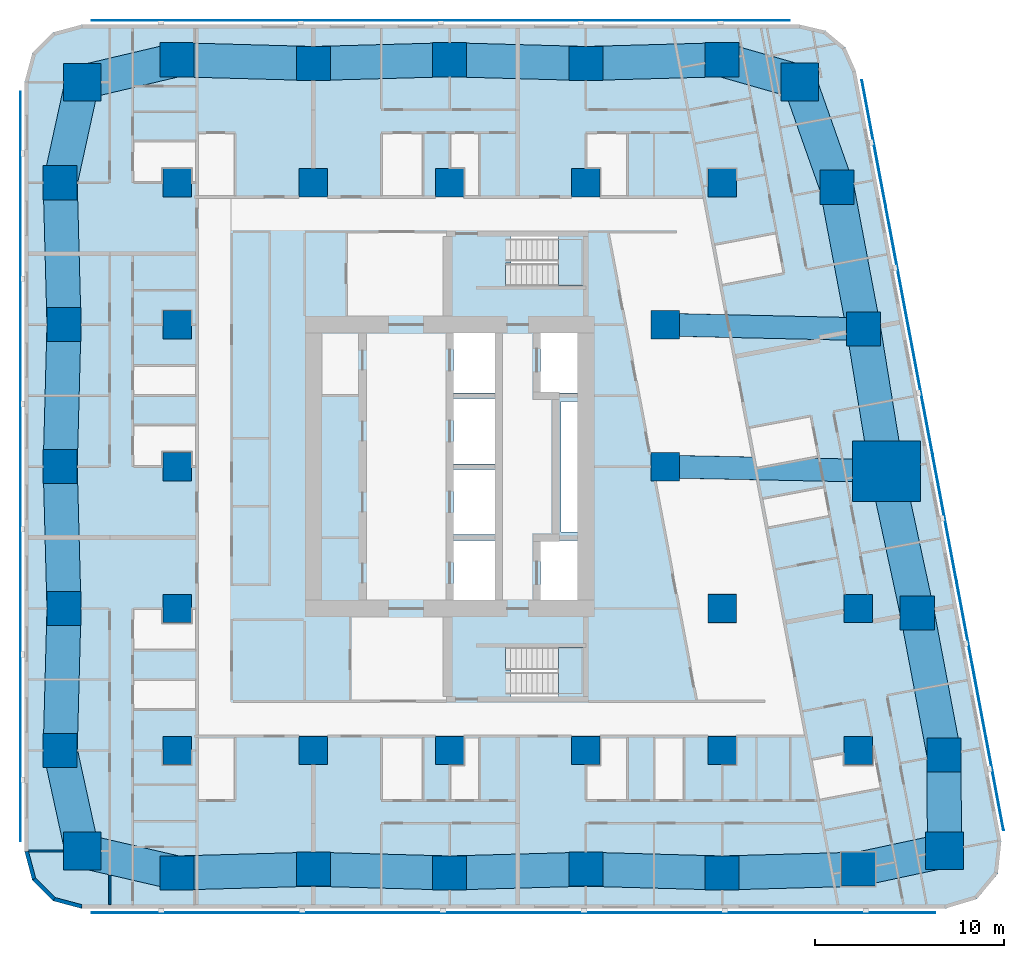
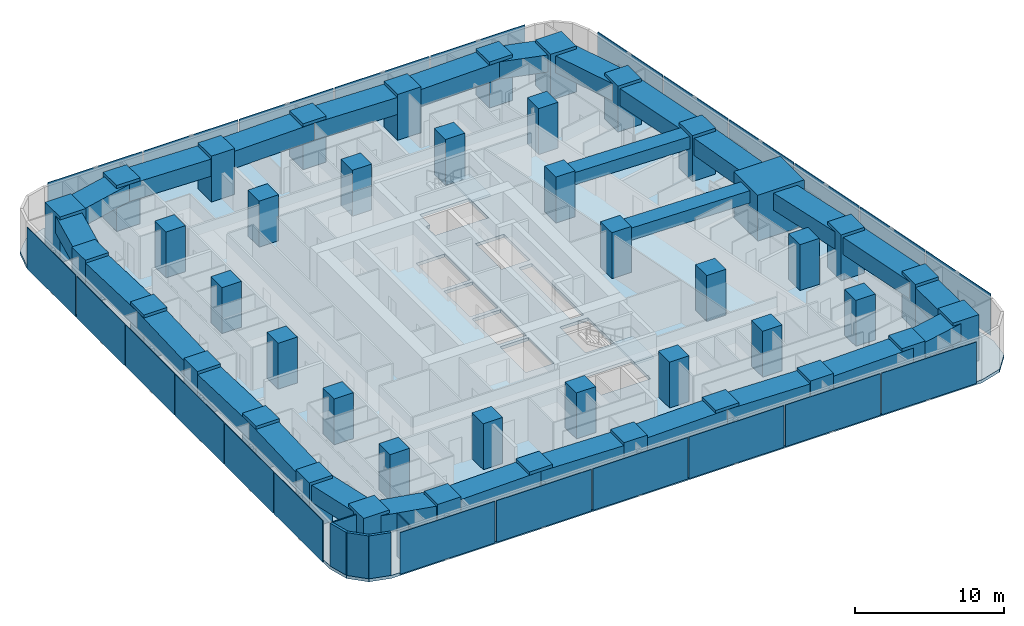
# One storey, part 1 of 15: 43 columns, 27 beams, 23 plates, 5 walls, 3 slabs, 2 elements without a shape of their own.
"""IFC4 building model written with IfcOpenShell, lengths in metres."""

from ifc_helpers import new_model, si_unit, direction, frame, frame_2d, origin, origin_2d, place, context, subcontext, project, spatial, polyline, rectangle, outline, extrude, material, layer, layer_set, material_profile, profile_set, type_object, element, aggregate, save


model = new_model("IFC4")

# Units and contexts
model_context = context("Model", 3, precision=1e-05, world=origin(), true_north=direction((0.0, 1.0)))
body_context = subcontext(model_context, "Body", "Model", "MODEL_VIEW")
ifc_project = project(units=[si_unit("LENGTHUNIT", "METRE"), si_unit("AREAUNIT", "SQUARE_METRE"), si_unit("VOLUMEUNIT", "CUBIC_METRE"), si_unit("PLANEANGLEUNIT", "RADIAN"), si_unit("MASSUNIT", "GRAM", prefix="KILO")], contexts=[model_context])

# Site, building, storey
site_placement = place(None, origin())
site = spatial("IfcSite", under=ifc_project, at=site_placement, CompositionType="ELEMENT")
building_placement = place(site_placement, origin())
building = spatial("IfcBuilding", under=site, at=building_placement, Name="Sheger Commons Tower", CompositionType="ELEMENT")
storey_placement = place(building_placement, frame((0.0, 0.0, 154.550048828125)))
storey = spatial("IfcBuildingStorey", under=building, at=storey_placement, Name="L39", CompositionType="ELEMENT", Elevation=154.550048828125)

# Columns
ifc_material_1 = material(Name="Concrete C50/60", Category="concrete")
ifc_material_profile_1 = material_profile(ifc_material_1, rectangle(XDim=3.60009765625, YDim=3.199951171875, at=origin_2d()), Name="RC 3600x3200")
ifc_profile_set_1 = profile_set([ifc_material_profile_1], Name="Concrete C50/60")
column_type_1 = type_object("IfcColumnType", Name="COLUMN PIER RC 3600x3200", PredefinedType="COLUMN", material=ifc_profile_set_1)
column_placement = place(storey_placement, frame((44.697021484375, 22.262939453125, 0.0), z_axis=(0.0, 0.0, 1.0), x_axis=(1.0, 0.0, 0.0)))
element("IfcColumn", 1, at=column_placement, inside=storey, type_object=column_type_1, Name="Pier 7/D+E/D L39", PredefinedType="COLUMN", context=body_context, shape_type="SweptSolid", body=[
    extrude(rectangle(XDim=3.60009765625, YDim=3.199951171875, at=origin_2d()), origin(), (0.0, 0.0, 1.0), 3.75),
])
ifc_material_2 = material(Name="Concrete C50/60", Category="concrete")
ifc_material_profile_2 = material_profile(ifc_material_2, rectangle(XDim=1.5, YDim=1.5, at=origin_2d()), Name="RC 1500x1500")
ifc_profile_set_2 = profile_set([ifc_material_profile_2], Name="Concrete C50/60")
column_type_2 = type_object("IfcColumnType", Name="COLUMN RC 1500x1500", PredefinedType="COLUMN", material=ifc_profile_set_2)
for number, where, z_axis, x_axis, name in (
    (2, (7.199951171875, 7.5, 0.0), (0.0, 0.0, 1.0), (1.0, 0.0, 0.0), "Column 2/B L39"),
    (3, (14.39990234375, 7.5, 0.0), (0.0, 0.0, 1.0), (1.0, 0.0, 0.0), "Column 3/B L39"),
    (4, (21.60009765625, 7.5, 0.0), (0.0, 0.0, 1.0), (1.0, 0.0, 0.0), "Column 4/B L39"),
    (5, (28.800048828125, 7.5, 0.0), (0.0, 0.0, 1.0), (1.0, 0.0, 0.0), "Column 5/B L39"),
    (6, (36.0, 7.5, 0.0), (0.0, 0.0, 1.0), (1.0, 0.0, 0.0), "Column 6/B L39"),
    (7, (43.199951171875, 7.5, 0.0), (0.0, 0.0, 1.0), (1.0, 0.0, 0.0), "Column 7/B L39"),
    (8, (7.199951171875, 15.0, 0.0), (0.0, 0.0, 1.0), (1.0, 0.0, 0.0), "Column 2/C L39"),
    (9, (36.0, 15.0, 0.0), (0.0, 0.0, 1.0), (1.0, 0.0, 0.0), "Column 6/C L39"),
    (10, (43.199951171875, 15.0, 0.0), (0.0, 0.0, 1.0), (1.0, 0.0, 0.0), "Column 7/C L39"),
    (11, (7.199951171875, 22.5, 0.0), (0.0, 0.0, 1.0), (1.0, 0.0, 0.0), "Column 2/D L39"),
    (12, (33.0, 22.5, 0.0), (0.0, 0.0, 1.0), (1.0, 0.0, 0.0), "Column 6-3000/D L39"),
    (13, (7.199951171875, 30.0, 0.0), (0.0, 0.0, 1.0), (1.0, 0.0, 0.0), "Column 2/E L39"),
    (14, (33.0, 30.0, 0.0), (0.0, 0.0, 1.0), (1.0, 0.0, 0.0), "Column 6-3000/E L39"),
    (15, (7.199951171875, 37.5, 0.0), (0.0, 0.0, 1.0), (1.0, 0.0, 0.0), "Column 2/F L39"),
    (16, (14.39990234375, 37.5, 0.0), (0.0, 0.0, 1.0), (1.0, 0.0, 0.0), "Column 3/F L39"),
    (17, (21.60009765625, 37.5, 0.0), (0.0, 0.0, 1.0), (1.0, 0.0, 0.0), "Column 4/F L39"),
    (18, (28.800048828125, 37.5, 0.0), (0.0, 0.0, 1.0), (1.0, 0.0, 0.0), "Column 5/F L39"),
    (19, (36.0, 37.5, 0.0), (0.0, 0.0, 1.0), (1.0, 0.0, 0.0), "Column 6/F L39"),
):
    element("IfcColumn", number, at=place(storey_placement, frame(where, z_axis=z_axis, x_axis=x_axis)), inside=storey, type_object=column_type_2, Name=name, PredefinedType="COLUMN", context=body_context, shape_type="SweptSolid", body=[
        extrude(rectangle(XDim=1.5, YDim=1.5, at=origin_2d()), origin(), (0.0, 0.0, 1.0), 3.75),
    ])
ifc_material_3 = material(Name="Concrete C50/60", Category="concrete")
ifc_material_profile_3 = material_profile(ifc_material_3, rectangle(XDim=1.800048828125, YDim=1.800048828125, at=origin_2d()), Name="RC 1800x1800")
ifc_profile_set_3 = profile_set([ifc_material_profile_3], Name="Concrete C50/60")
column_type_3 = type_object("IfcColumnType", Name="COLUMN RC 1800x1800", PredefinedType="COLUMN", material=ifc_profile_set_3)
for number, where, z_axis, x_axis, name in (
    (20, (7.199951171875, 1.02490234375, 0.0), (0.0, 0.0, 1.0), (1.0, 0.0, 0.0), "Column 2/A L39"),
    (21, (14.39990234375, 1.22509765625, 0.0), (0.0, 0.0, 1.0), (1.0, 0.0, 0.0), "Column 3/A L39"),
    (22, (21.60009765625, 1.02490234375, 0.0), (0.0, 0.0, 1.0), (1.0, 0.0, 0.0), "Column 4/A L39"),
    (23, (28.800048828125, 1.22509765625, 0.0), (0.0, 0.0, 1.0), (1.0, 0.0, 0.0), "Column 5/A L39"),
    (24, (36.0, 1.02490234375, 0.0), (0.0, 0.0, 1.0), (1.0, 0.0, 0.0), "Column 6/A L39"),
    (25, (43.199951171875, 1.22509765625, 0.0), (0.0, 0.0, 1.0), (1.0, 0.0, 0.0), "Column 7/A L39"),
    (26, (1.02490234375, 7.5, 0.0), (0.0, 0.0, 1.0), (1.0, 0.0, 0.0), "Column 1/B L39"),
    (27, (47.72998046875, 7.262939453125, 0.0), (0.0, 0.0, 1.0), (1.0, 0.0, 0.0), "Column E/B L39"),
    (28, (1.22509765625, 15.0, 0.0), (0.0, 0.0, 1.0), (1.0, 0.0, 0.0), "Column 1/C L39"),
    (29, (46.31396484375, 14.762939453125, 0.0), (0.0, 0.0, 1.0), (1.0, 0.0, 0.0), "Column E/C L39"),
    (30, (1.02490234375, 22.5, 0.0), (0.0, 0.0, 1.0), (1.0, 0.0, 0.0), "Column 1/D L39"),
    (31, (1.22509765625, 30.0, 0.0), (0.0, 0.0, 1.0), (1.0, 0.0, 0.0), "Column 1/E L39"),
    (32, (43.47998046875, 29.762939453125, 0.0), (0.0, 0.0, 1.0), (1.0, 0.0, 0.0), "Column E/E L39"),
    (33, (1.02490234375, 37.5, 0.0), (0.0, 0.0, 1.0), (1.0, 0.0, 0.0), "Column 1/F L39"),
    (34, (42.06396484375, 37.262939453125, 0.0), (0.0, 0.0, 1.0), (1.0, 0.0, 0.0), "Column E/F L39"),
    (35, (7.199951171875, 44.0, 0.0), (0.0, 0.0, 1.0), (1.0, 0.0, 0.0), "Column 2/G L39"),
    (36, (14.39990234375, 43.800048828125, 0.0), (0.0, 0.0, 1.0), (1.0, 0.0, 0.0), "Column 3/G L39"),
    (37, (21.60009765625, 44.0, 0.0), (0.0, 0.0, 1.0), (1.0, 0.0, 0.0), "Column 4/G L39"),
    (38, (28.800048828125, 43.800048828125, 0.0), (0.0, 0.0, 1.0), (1.0, 0.0, 0.0), "Column 5/G L39"),
    (39, (36.0, 44.0, 0.0), (0.0, 0.0, 1.0), (1.0, 0.0, 0.0), "Column 6/G L39"),
):
    element("IfcColumn", number, at=place(storey_placement, frame(where, z_axis=z_axis, x_axis=x_axis)), inside=storey, type_object=column_type_3, Name=name, PredefinedType="COLUMN", context=body_context, shape_type="SweptSolid", body=[
        extrude(rectangle(XDim=1.800048828125, YDim=1.800048828125, at=origin_2d()), origin(), (0.0, 0.0, 1.0), 3.75),
    ])
ifc_material_4 = material(Name="Concrete C50/60", Category="concrete")
ifc_material_profile_4 = material_profile(ifc_material_4, rectangle(XDim=2.0, YDim=2.0, at=origin_2d()), Name="RC 2000x2000")
ifc_profile_set_4 = profile_set([ifc_material_profile_4], Name="Concrete C50/60")
column_type_4 = type_object("IfcColumnType", Name="COLUMN RC 2000x2000", PredefinedType="COLUMN", material=ifc_profile_set_4)
for number, where, z_axis, x_axis, name in (
    (40, (2.18603515625, 2.18603515625, 0.0), (0.0, 0.0, 1.0), (1.0, 0.0, 0.0), "Column 0.630,0.630 L39"),
    (41, (47.748046875, 2.197021484375, 0.0), (0.0, 0.0, 1.0), (1.0, 0.0, 0.0), "Column 49.461,0.778 L39"),
    (42, (2.18603515625, 42.81396484375, 0.0), (0.0, 0.0, 1.0), (1.0, 0.0, 0.0), "Column 0.630,44.370 L39"),
    (43, (40.10205078125, 42.830078125, 0.0), (0.0, 0.0, 1.0), (1.0, 0.0, 0.0), "Column 41.490,44.505 L39"),
):
    element("IfcColumn", number, at=place(storey_placement, frame(where, z_axis=z_axis, x_axis=x_axis)), inside=storey, type_object=column_type_4, Name=name, PredefinedType="COLUMN", context=body_context, shape_type="SweptSolid", body=[
        extrude(rectangle(XDim=2.0, YDim=2.0, at=origin_2d()), origin(), (0.0, 0.0, 1.0), 3.75),
    ])

# Beams
ifc_material_5 = material(Name="Concrete C50/60", Category="concrete")
ifc_material_profile_5 = material_profile(ifc_material_5, rectangle(XDim=1.199951171875, YDim=1.0, at=origin_2d()), Name="RC 1200x1000")
ifc_profile_set_5 = profile_set([ifc_material_profile_5], Name="Concrete C50/60")
beam_type_1 = type_object("IfcBeamType", Name="BEAM RC 1200x1000", PredefinedType="BEAM", material=ifc_profile_set_5)
beam_1_placement = place(storey_placement, frame((33.0, 22.5, 3.0), z_axis=(0.999794692776, -0.02026258368, 0.0), x_axis=(0.02026258368, 0.999794692776, 0.0)))
element("IfcBeam", 44, at=beam_1_placement, inside=storey, type_object=beam_type_1, Name="Beam 6-3000/D-7/D under L40", PredefinedType="BEAM", context=body_context, shape_type="SweptSolid", body=[
    extrude(rectangle(XDim=1.199951171875, YDim=1.0, at=origin_2d()), origin(), (0.0, 0.0, 1.0), 11.699462890625),
])
beam_2_placement = place(storey_placement, frame((33.0, 30.0, 3.0), z_axis=(0.999744258625, -0.022614538395, 0.0), x_axis=(0.022614538395, 0.999744258625, 0.0)))
element("IfcBeam", 45, at=beam_2_placement, inside=storey, type_object=beam_type_1, Name="Beam 6-3000/E-E/E under L40", PredefinedType="BEAM", context=body_context, shape_type="SweptSolid", body=[
    extrude(rectangle(XDim=1.199951171875, YDim=1.0, at=origin_2d()), origin(), (0.0, 0.0, 1.0), 10.482666015625),
])
ifc_material_6 = material(Name="Concrete C50/60", Category="concrete")
ifc_material_profile_6 = material_profile(ifc_material_6, rectangle(XDim=1.800048828125, YDim=1.39990234375, at=origin_2d()), Name="RC 1800x1400")
ifc_profile_set_6 = profile_set([ifc_material_profile_6], Name="Concrete C50/60")
beam_type_2 = type_object("IfcBeamType", Name="SPANDREL RC 1800x1400", PredefinedType="SPANDREL", material=ifc_profile_set_6)
beam_3_placement = place(storey_placement, frame((2.18603515625, 2.18603515625, 2.800048828125), z_axis=(0.974217413499, -0.225611239159, 0.0), x_axis=(0.225611239159, 0.974217413499, 0.0)))
element("IfcBeam", 46, at=beam_3_placement, inside=storey, type_object=beam_type_2, Name="Beam 0.630,0.630-2/A under L40", PredefinedType="SPANDREL", context=body_context, shape_type="SweptSolid", body=[
    extrude(rectangle(XDim=1.800048828125, YDim=1.39990234375, at=origin_2d()), origin(), (0.0, 0.0, 1.0), 5.146728515625),
])
beam_4_placement = place(storey_placement, frame((7.199951171875, 1.02490234375, 2.800048828125), z_axis=(0.9996136624, 0.027794350926, 0.0), x_axis=(-0.027794350926, 0.9996136624, 0.0)))
element("IfcBeam", 47, at=beam_4_placement, inside=storey, type_object=beam_type_2, Name="Beam 2/A-3/A under L40", PredefinedType="SPANDREL", context=body_context, shape_type="SweptSolid", body=[
    extrude(rectangle(XDim=1.800048828125, YDim=1.39990234375, at=origin_2d()), origin(), (0.0, 0.0, 1.0), 7.20263671875),
])
beam_5_placement = place(storey_placement, frame((14.39990234375, 1.22509765625, 2.800048828125), z_axis=(0.999613688584, -0.027793409217, 0.0), x_axis=(0.027793409217, 0.999613688584, 0.0)))
element("IfcBeam", 48, at=beam_5_placement, inside=storey, type_object=beam_type_2, Name="Beam 3/A-4/A under L40", PredefinedType="SPANDREL", context=body_context, shape_type="SweptSolid", body=[
    extrude(rectangle(XDim=1.800048828125, YDim=1.39990234375, at=origin_2d()), origin(), (0.0, 0.0, 1.0), 7.202880859375),
])
for number, where, z_axis, x_axis, name in (
    (49, (21.60009765625, 1.02490234375, 2.800048828125), (0.9996136624, 0.027794350926, 0.0), (-0.027794350926, 0.9996136624, 0.0), "Beam 4/A-5/A under L40"),
    (50, (28.800048828125, 1.22509765625, 2.800048828125), (0.9996136624, -0.027794350926, 0.0), (0.027794350926, 0.9996136624, 0.0), "Beam 5/A-6/A under L40"),
    (51, (36.0, 1.02490234375, 2.800048828125), (0.9996136624, 0.027794350926, 0.0), (-0.027794350926, 0.9996136624, 0.0), "Beam 6/A-7/A under L40"),
):
    element("IfcBeam", number, at=place(storey_placement, frame(where, z_axis=z_axis, x_axis=x_axis)), inside=storey, type_object=beam_type_2, Name=name, PredefinedType="SPANDREL", context=body_context, shape_type="SweptSolid", body=[
        extrude(rectangle(XDim=1.800048828125, YDim=1.39990234375, at=origin_2d()), origin(), (0.0, 0.0, 1.0), 7.20263671875),
    ])
beam_6_placement = place(storey_placement, frame((43.199951171875, 1.22509765625, 2.800048828125), z_axis=(0.977919796671, 0.208980552394, 0.0), x_axis=(-0.208980552394, 0.977919796671, 0.0)))
element("IfcBeam", 52, at=beam_6_placement, inside=storey, type_object=beam_type_2, Name="Beam 7/A-49.461,0.778 under L40", PredefinedType="SPANDREL", context=body_context, shape_type="SweptSolid", body=[
    extrude(rectangle(XDim=1.800048828125, YDim=1.39990234375, at=origin_2d()), origin(), (0.0, 0.0, 1.0), 4.65087890625),
])
beam_7_placement = place(storey_placement, frame((47.748046875, 2.197021484375, 2.800048828125), z_axis=(-0.003566242382, 0.999993640937, 0.0), x_axis=(-0.999993640937, -0.003566242382, 0.0)))
element("IfcBeam", 53, at=beam_7_placement, inside=storey, type_object=beam_type_2, Name="Beam 49.461,0.778-E/B under L40", PredefinedType="SPANDREL", context=body_context, shape_type="SweptSolid", body=[
    extrude(rectangle(XDim=1.800048828125, YDim=1.39990234375, at=origin_2d()), origin(), (0.0, 0.0, 1.0), 5.06591796875),
])
beam_8_placement = place(storey_placement, frame((47.72998046875, 7.262939453125, 2.800048828125), z_axis=(-0.18552441405, 0.982639655108, 0.0), x_axis=(-0.982639655108, -0.18552441405, 0.0)))
element("IfcBeam", 54, at=beam_8_placement, inside=storey, type_object=beam_type_2, Name="Beam E/B-E/C under L40", PredefinedType="SPANDREL", context=body_context, shape_type="SweptSolid", body=[
    extrude(rectangle(XDim=1.800048828125, YDim=1.39990234375, at=origin_2d()), origin(), (0.0, 0.0, 1.0), 7.632568359375),
])
beam_9_placement = place(storey_placement, frame((46.31396484375, 14.762939453125, 2.800048828125), z_axis=(-0.210750229323, 0.977539943348, 0.0), x_axis=(-0.977539943348, -0.210750229323, 0.0)))
element("IfcBeam", 55, at=beam_9_placement, inside=storey, type_object=beam_type_2, Name="Beam E/C-E/D under L40", PredefinedType="SPANDREL", context=body_context, shape_type="SweptSolid", body=[
    extrude(rectangle(XDim=1.800048828125, YDim=1.39990234375, at=origin_2d()), origin(), (0.0, 0.0, 1.0), 7.67236328125),
])
beam_10_placement = place(storey_placement, frame((44.697021484375, 22.262939453125, 2.800048828125), z_axis=(-0.160176929512, 0.987088319884, 0.0), x_axis=(-0.987088319884, -0.160176929512, 0.0)))
element("IfcBeam", 56, at=beam_10_placement, inside=storey, type_object=beam_type_2, Name="Beam E/D-E/E under L40", PredefinedType="SPANDREL", context=body_context, shape_type="SweptSolid", body=[
    extrude(rectangle(XDim=1.800048828125, YDim=1.39990234375, at=origin_2d()), origin(), (0.0, 0.0, 1.0), 7.59814453125),
])
beam_11_placement = place(storey_placement, frame((43.47998046875, 29.762939453125, 2.800048828125), z_axis=(-0.18552441405, 0.982639655108, 0.0), x_axis=(-0.982639655108, -0.18552441405, 0.0)))
element("IfcBeam", 57, at=beam_11_placement, inside=storey, type_object=beam_type_2, Name="Beam E/E-E/F under L40", PredefinedType="SPANDREL", context=body_context, shape_type="SweptSolid", body=[
    extrude(rectangle(XDim=1.800048828125, YDim=1.39990234375, at=origin_2d()), origin(), (0.0, 0.0, 1.0), 7.632568359375),
])
beam_12_placement = place(storey_placement, frame((42.06396484375, 37.262939453125, 2.800048828125), z_axis=(-0.332374403357, 0.943147526102, 0.0), x_axis=(-0.943147526102, -0.332374403357, 0.0)))
element("IfcBeam", 58, at=beam_12_placement, inside=storey, type_object=beam_type_2, Name="Beam E/F-41.490,44.505 under L40", PredefinedType="SPANDREL", context=body_context, shape_type="SweptSolid", body=[
    extrude(rectangle(XDim=1.800048828125, YDim=1.39990234375, at=origin_2d()), origin(), (0.0, 0.0, 1.0), 5.90283203125),
])
beam_13_placement = place(storey_placement, frame((40.10205078125, 42.830078125, 2.800048828125), z_axis=(-0.961653428129, 0.274267541221, 0.0), x_axis=(-0.274267541221, -0.961653428129, 0.0)))
element("IfcBeam", 59, at=beam_13_placement, inside=storey, type_object=beam_type_2, Name="Beam 41.490,44.505-6/G under L40", PredefinedType="SPANDREL", context=body_context, shape_type="SweptSolid", body=[
    extrude(rectangle(XDim=1.800048828125, YDim=1.39990234375, at=origin_2d()), origin(), (0.0, 0.0, 1.0), 4.265625),
])
for number, where, z_axis, x_axis, name in (
    (60, (36.0, 44.0, 2.800048828125), (-0.999614603568, -0.027760481514, 0.0), (0.027760481514, -0.999614603568, 0.0), "Beam 6/G-5/G under L40"),
    (61, (28.800048828125, 43.800048828125, 2.800048828125), (-0.999614603568, 0.027760481514, 0.0), (-0.027760481514, -0.999614603568, 0.0), "Beam 5/G-4/G under L40"),
):
    element("IfcBeam", number, at=place(storey_placement, frame(where, z_axis=z_axis, x_axis=x_axis)), inside=storey, type_object=beam_type_2, Name=name, PredefinedType="SPANDREL", context=body_context, shape_type="SweptSolid", body=[
        extrude(rectangle(XDim=1.800048828125, YDim=1.39990234375, at=origin_2d()), origin(), (0.0, 0.0, 1.0), 7.20263671875),
    ])
beam_14_placement = place(storey_placement, frame((21.60009765625, 44.0, 2.800048828125), z_axis=(-0.999614629688, -0.027759540951, 0.0), x_axis=(0.027759540951, -0.999614629688, 0.0)))
element("IfcBeam", 62, at=beam_14_placement, inside=storey, type_object=beam_type_2, Name="Beam 4/G-3/G under L40", PredefinedType="SPANDREL", context=body_context, shape_type="SweptSolid", body=[
    extrude(rectangle(XDim=1.800048828125, YDim=1.39990234375, at=origin_2d()), origin(), (0.0, 0.0, 1.0), 7.202880859375),
])
beam_15_placement = place(storey_placement, frame((14.39990234375, 43.800048828125, 2.800048828125), z_axis=(-0.999614603568, 0.027760481514, 0.0), x_axis=(-0.027760481514, -0.999614603568, 0.0)))
element("IfcBeam", 63, at=beam_15_placement, inside=storey, type_object=beam_type_2, Name="Beam 3/G-2/G under L40", PredefinedType="SPANDREL", context=body_context, shape_type="SweptSolid", body=[
    extrude(rectangle(XDim=1.800048828125, YDim=1.39990234375, at=origin_2d()), origin(), (0.0, 0.0, 1.0), 7.20263671875),
])
beam_16_placement = place(storey_placement, frame((7.199951171875, 44.0, 2.800048828125), z_axis=(-0.97314428949, -0.230195985701, 0.0), x_axis=(0.230195985701, -0.97314428949, 0.0)))
element("IfcBeam", 64, at=beam_16_placement, inside=storey, type_object=beam_type_2, Name="Beam 2/G-0.630,44.370 under L40", PredefinedType="SPANDREL", context=body_context, shape_type="SweptSolid", body=[
    extrude(rectangle(XDim=1.800048828125, YDim=1.39990234375, at=origin_2d()), origin(), (0.0, 0.0, 1.0), 5.15234375),
])
beam_17_placement = place(storey_placement, frame((2.18603515625, 42.81396484375, 2.800048828125), z_axis=(-0.213469314652, -0.976949769283, 0.0), x_axis=(0.976949769283, -0.213469314652, 0.0)))
element("IfcBeam", 65, at=beam_17_placement, inside=storey, type_object=beam_type_2, Name="Beam 0.630,44.370-1/F under L40", PredefinedType="SPANDREL", context=body_context, shape_type="SweptSolid", body=[
    extrude(rectangle(XDim=1.800048828125, YDim=1.39990234375, at=origin_2d()), origin(), (0.0, 0.0, 1.0), 5.439453125),
])
for number, where, z_axis, x_axis, name in (
    (66, (1.02490234375, 37.5, 2.800048828125), (0.026683204125, -0.999643939919, 0.0), (0.999643939919, 0.026683204125, 0.0), "Beam 1/F-1/E under L40"),
    (67, (1.22509765625, 30.0, 2.800048828125), (-0.026683204125, -0.999643939919, 0.0), (0.999643939919, -0.026683204125, 0.0), "Beam 1/E-1/D under L40"),
    (68, (1.02490234375, 22.5, 2.800048828125), (0.026683204125, -0.999643939919, 0.0), (0.999643939919, 0.026683204125, 0.0), "Beam 1/D-1/C under L40"),
    (69, (1.22509765625, 15.0, 2.800048828125), (-0.026683204125, -0.999643939919, 0.0), (0.999643939919, -0.026683204125, 0.0), "Beam 1/C-1/B under L40"),
):
    element("IfcBeam", number, at=place(storey_placement, frame(where, z_axis=z_axis, x_axis=x_axis)), inside=storey, type_object=beam_type_2, Name=name, PredefinedType="SPANDREL", context=body_context, shape_type="SweptSolid", body=[
        extrude(rectangle(XDim=1.800048828125, YDim=1.39990234375, at=origin_2d()), origin(), (0.0, 0.0, 1.0), 7.502685546875),
    ])
beam_18_placement = place(storey_placement, frame((1.02490234375, 7.5, 2.800048828125), z_axis=(0.213469314652, -0.976949769283, 0.0), x_axis=(0.976949769283, 0.213469314652, 0.0)))
element("IfcBeam", 70, at=beam_18_placement, inside=storey, type_object=beam_type_2, Name="Beam 1/B-0.630,0.630 under L40", PredefinedType="SPANDREL", context=body_context, shape_type="SweptSolid", body=[
    extrude(rectangle(XDim=1.800048828125, YDim=1.39990234375, at=origin_2d()), origin(), (0.0, 0.0, 1.0), 5.439453125),
])

# Slab
ifc_material_7 = material(Name="Concrete C35/45", Category="concrete")
ifc_layer_1 = layer(ifc_material_7, 0.25)
ifc_layer_set_1 = layer_set([ifc_layer_1], Name="SLAB FLOOR 250")
slab_type_1 = type_object("IfcSlabType", Name="SLAB FLOOR 250", PredefinedType="FLOOR", material=ifc_layer_set_1)
slab_1_placement = place(storey_placement, frame((0.0, 0.0, -0.25)))
element("IfcSlab", 71, at=slab_1_placement, inside=storey, type_object=slab_type_1, Name="L39 floor slab", PredefinedType="FLOOR", context=body_context, shape_type="SweptSolid", body=[
    extrude(outline(polyline([(-0.85009765625, 2.14990234375), (-0.447998046875, 0.64990234375), (0.64990234375, -0.447998046875), (2.14990234375, -0.85009765625), (47.805908203125, -0.85009765625), (49.465087890625, -0.35009765625), (50.570068359375, 0.98388671875), (50.75390625, 2.70703125), (43.06591796875, 43.406982421875), (42.509033203125, 44.660888671875), (41.452880859375, 45.535888671875), (40.117919921875, 45.85009765625), (2.14990234375, 45.85009765625), (0.64990234375, 45.447998046875), (-0.447998046875, 44.35009765625), (-0.85009765625, 42.85009765625), (-0.85009765625, 2.14990234375)]), holes=[polyline([(24.85009765625, 10.35009765625), (28.64990234375, 10.35009765625), (28.64990234375, 12.949951171875), (24.551025390625, 12.949951171875), (24.551025390625, 11.75), (24.85009765625, 11.75), (24.85009765625, 10.35009765625)]), polyline([(24.551025390625, 32.050048828125), (28.64990234375, 32.050048828125), (28.64990234375, 34.64990234375), (24.85009765625, 34.64990234375), (24.85009765625, 33.25), (24.551025390625, 33.25), (24.551025390625, 32.050048828125)]), polyline([(26.39990234375, 15.14990234375), (28.60009765625, 15.14990234375), (28.60009765625, 18.60009765625), (26.39990234375, 18.60009765625), (26.39990234375, 15.14990234375)]), polyline([(26.39990234375, 26.39990234375), (28.60009765625, 26.39990234375), (28.60009765625, 29.85009765625), (26.39990234375, 29.85009765625), (26.39990234375, 26.39990234375)]), polyline([(21.800048828125, 15.14990234375), (24.0, 15.14990234375), (24.0, 18.60009765625), (21.800048828125, 18.60009765625), (21.800048828125, 15.14990234375)]), polyline([(21.800048828125, 18.89990234375), (24.0, 18.89990234375), (24.0, 22.35009765625), (21.800048828125, 22.35009765625), (21.800048828125, 18.89990234375)]), polyline([(21.800048828125, 22.64990234375), (24.0, 22.64990234375), (24.0, 26.10009765625), (21.800048828125, 26.10009765625), (21.800048828125, 22.64990234375)]), polyline([(21.800048828125, 26.39990234375), (24.0, 26.39990234375), (24.0, 29.85009765625), (21.800048828125, 29.85009765625), (21.800048828125, 26.39990234375)]), polyline([(27.5, 19.050048828125), (28.5, 19.050048828125), (28.5, 25.949951171875), (27.5, 25.949951171875), (27.5, 19.050048828125)])]), origin(), (0.0, 0.0, 1.0), 0.25),
])

# Plates
ifc_material_8 = material(Name="Perforated black anodised aluminium screen", Category="aluminium")
ifc_layer_2 = layer(ifc_material_8, 0.050048828125)
ifc_layer_set_2 = layer_set([ifc_layer_2], Name="SOLAR SCREEN SCREEN-1")
plate_type = type_object("IfcPlateType", Name="SOLAR SCREEN SCREEN-1", PredefinedType="USERDEFINED", material=ifc_layer_set_2)
for number, where, z_axis, x_axis, name in (
    (72, (6.37109375, -1.074951171875, 0.050048828125), (0.0, 0.0, 1.0), (1.0, 0.0, 0.0), "Perforated solar screen panel"),
    (73, (13.81396484375, -1.074951171875, 0.050048828125), (0.0, 0.0, 1.0), (1.0, 0.0, 0.0), "Perforated solar screen panel"),
    (74, (21.257080078125, -1.074951171875, 0.050048828125), (0.0, 0.0, 1.0), (1.0, 0.0, 0.0), "Perforated solar screen panel"),
    (75, (28.698974609375, -1.074951171875, 0.050048828125), (0.0, 0.0, 1.0), (1.0, 0.0, 0.0), "Perforated solar screen panel"),
    (76, (36.14208984375, -1.074951171875, 0.050048828125), (0.0, 0.0, 1.0), (1.0, 0.0, 0.0), "Perforated solar screen panel"),
    (77, (43.5849609375, -1.074951171875, 0.050048828125), (0.0, 0.0, 1.0), (1.0, 0.0, 0.0), "Perforated solar screen panel"),
):
    element("IfcPlate", number, at=place(storey_placement, frame(where, z_axis=z_axis, x_axis=x_axis)), inside=storey, type_object=plate_type, Name=name, ObjectType="SCREEN", PredefinedType="USERDEFINED", context=body_context, shape_type="SweptSolid", body=[
        extrude(rectangle(XDim=7.343017578125, YDim=0.050048828125, at=origin_2d()), origin(), (0.0, 0.0, 1.0), 3.39990234375),
    ])
for number, where, z_axis, x_axis, name in (
    (78, (50.257080078125, 6.550048828125, 0.050048828125), (0.0, 0.0, 1.0), (-0.185615165645, 0.982622516678, 0.0), "Perforated solar screen panel"),
    (79, (49.007080078125, 13.1689453125, 0.050048828125), (0.0, 0.0, 1.0), (-0.185615165645, 0.982622516678, 0.0), "Perforated solar screen panel"),
    (80, (47.756103515625, 19.7890625, 0.050048828125), (0.0, 0.0, 1.0), (-0.185615165645, 0.982622516678, 0.0), "Perforated solar screen panel"),
    (81, (46.506103515625, 26.408935546875, 0.050048828125), (0.0, 0.0, 1.0), (-0.185615165645, 0.982622516678, 0.0), "Perforated solar screen panel"),
    (82, (45.2548828125, 33.028076171875, 0.050048828125), (0.0, 0.0, 1.0), (-0.185615165645, 0.982622516678, 0.0), "Perforated solar screen panel"),
    (83, (44.0048828125, 39.64794921875, 0.050048828125), (0.0, 0.0, 1.0), (-0.185615165645, 0.982622516678, 0.0), "Perforated solar screen panel"),
):
    element("IfcPlate", number, at=place(storey_placement, frame(where, z_axis=z_axis, x_axis=x_axis)), inside=storey, type_object=plate_type, Name=name, ObjectType="SCREEN", PredefinedType="USERDEFINED", context=body_context, shape_type="SweptSolid", body=[
        extrude(rectangle(XDim=6.636962890625, YDim=0.050048828125, at=origin_2d()), origin(), (0.0, 0.0, 1.0), 3.39990234375),
    ])
for number, where, z_axis, x_axis, name in (
    (84, (35.9208984375, 46.074951171875, 0.050048828125), (0.0, 0.0, 1.0), (-1.0, 0.0, 0.0), "Perforated solar screen panel"),
    (85, (28.528076171875, 46.074951171875, 0.050048828125), (0.0, 0.0, 1.0), (-1.0, 0.0, 0.0), "Perforated solar screen panel"),
    (86, (21.134033203125, 46.074951171875, 0.050048828125), (0.0, 0.0, 1.0), (-1.0, 0.0, 0.0), "Perforated solar screen panel"),
    (87, (13.739990234375, 46.074951171875, 0.050048828125), (0.0, 0.0, 1.0), (-1.0, 0.0, 0.0), "Perforated solar screen panel"),
    (88, (6.346923828125, 46.074951171875, 0.050048828125), (0.0, 0.0, 1.0), (-1.0, 0.0, 0.0), "Perforated solar screen panel"),
):
    element("IfcPlate", number, at=place(storey_placement, frame(where, z_axis=z_axis, x_axis=x_axis)), inside=storey, type_object=plate_type, Name=name, ObjectType="SCREEN", PredefinedType="USERDEFINED", context=body_context, shape_type="SweptSolid", body=[
        extrude(rectangle(XDim=7.2939453125, YDim=0.050048828125, at=origin_2d()), origin(), (0.0, 0.0, 1.0), 3.39990234375),
    ])
for number, where, z_axis, x_axis, name in (
    (89, (-1.074951171875, 39.0419921875, 0.050048828125), (0.0, 0.0, 1.0), (0.0, -1.0, 0.0), "Perforated solar screen panel"),
    (90, (-1.074951171875, 32.425048828125, 0.050048828125), (0.0, 0.0, 1.0), (0.0, -1.0, 0.0), "Perforated solar screen panel"),
    (91, (-1.074951171875, 25.80810546875, 0.050048828125), (0.0, 0.0, 1.0), (0.0, -1.0, 0.0), "Perforated solar screen panel"),
    (92, (-1.074951171875, 19.19189453125, 0.050048828125), (0.0, 0.0, 1.0), (0.0, -1.0, 0.0), "Perforated solar screen panel"),
    (93, (-1.074951171875, 12.574951171875, 0.050048828125), (0.0, 0.0, 1.0), (0.0, -1.0, 0.0), "Perforated solar screen panel"),
    (94, (-1.074951171875, 5.9580078125, 0.050048828125), (0.0, 0.0, 1.0), (0.0, -1.0, 0.0), "Perforated solar screen panel"),
):
    element("IfcPlate", number, at=place(storey_placement, frame(where, z_axis=z_axis, x_axis=x_axis)), inside=storey, type_object=plate_type, Name=name, ObjectType="SCREEN", PredefinedType="USERDEFINED", context=body_context, shape_type="SweptSolid", body=[
        extrude(rectangle(XDim=6.51708984375, YDim=0.050048828125, at=origin_2d()), origin(), (0.0, 0.0, 1.0), 3.39990234375),
    ])

# Stair, slab
ifc_material_9 = material(Name="Concrete C35/45", Category="concrete")
stair_type = type_object("IfcStairType", Name="HALF-TURN STAIR 1200 RISE 3750", PredefinedType="HALF_TURN_STAIR", material=ifc_material_9)
stair_1_placement = place(storey_placement, origin())
stair_1 = element("IfcStair", 95, at=stair_1_placement, inside=storey, type_object=stair_type, Name="Stair S1 L39", PredefinedType="HALF_TURN_STAIR")
ifc_material_10 = material(Name="Concrete C35/45", Category="concrete")
ifc_layer_3 = layer(ifc_material_10, 0.199951171875)
ifc_layer_set_3 = layer_set([ifc_layer_3], Name="STAIR LANDING 200")
slab_type_2 = type_object("IfcSlabType", Name="STAIR LANDING 200", PredefinedType="LANDING", material=ifc_layer_set_3)
slab_2_placement = place(storey_placement, frame((0.0, 0.0, 1.675048828125)))
slab_2 = element("IfcSlab", 96, at=slab_2_placement, type_object=slab_type_2, Name="S1 landing 1", PredefinedType="LANDING", context=body_context, shape_type="SweptSolid", body=[
    extrude(outline(polyline([(27.35009765625, 10.199951171875), (28.800048828125, 10.199951171875), (28.800048828125, 12.949951171875), (27.35009765625, 12.949951171875), (27.35009765625, 10.199951171875)])), origin(), (0.0, 0.0, 1.0), 0.199951171875),
])
aggregate(stair_1, [slab_2])

stair_2_placement = place(storey_placement, origin())
stair_2 = element("IfcStair", 97, at=stair_2_placement, inside=storey, type_object=stair_type, Name="Stair S2 L39", PredefinedType="HALF_TURN_STAIR")
slab_3_placement = place(storey_placement, frame((0.0, 0.0, 1.675048828125)))
slab_3 = element("IfcSlab", 98, at=slab_3_placement, type_object=slab_type_2, Name="S2 landing 1", PredefinedType="LANDING", context=body_context, shape_type="SweptSolid", body=[
    extrude(outline(polyline([(27.35009765625, 32.050048828125), (28.800048828125, 32.050048828125), (28.800048828125, 34.800048828125), (27.35009765625, 34.800048828125), (27.35009765625, 32.050048828125)])), origin(), (0.0, 0.0, 1.0), 0.199951171875),
])
aggregate(stair_2, [slab_3])

# Walls
ifc_material_11 = material(Name="Rendered concrete block masonry, dark grey", Category="masonry")
ifc_layer_4 = layer(ifc_material_11, 0.199951171875)
ifc_layer_set_4 = layer_set([ifc_layer_4], Name="FACADE WALL 200")
wall_type_1 = type_object("IfcWallType", Name="FACADE WALL 200", PredefinedType="SOLIDWALL", material=ifc_layer_set_4)
wall_1_placement = place(storey_placement, frame((-0.75, 2.1630859375, 0.0), z_axis=(0.0, 0.0, 1.0), x_axis=(0.259168954497, -0.965832000415, 0.0)))
element("IfcWall", 99, at=wall_1_placement, inside=storey, type_object=wall_type_1, Name="Facade wall L39", PredefinedType="SOLIDWALL", context=body_context, shape_type="SweptSolid", body=[
    extrude(rectangle(XDim=1.512939453125, YDim=0.199951171875, at=frame_2d((0.75634765625, 0.0))), origin(), (0.0, 0.0, 1.0), 3.5),
])
wall_2_placement = place(storey_placement, frame((-0.35791015625, 0.701904296875, 0.0), z_axis=(0.0, 0.0, 1.0), x_axis=(0.707106781187, -0.707106781187, 0.0)))
element("IfcWall", 100, at=wall_2_placement, inside=storey, type_object=wall_type_1, Name="Facade wall L39", PredefinedType="SOLIDWALL", context=body_context, shape_type="SweptSolid", body=[
    extrude(rectangle(XDim=1.498779296875, YDim=0.199951171875, at=frame_2d((0.74951171875, 0.0))), origin(), (0.0, 0.0, 1.0), 3.5),
])
wall_3_placement = place(storey_placement, frame((0.701904296875, -0.35791015625, 0.0), z_axis=(0.0, 0.0, 1.0), x_axis=(0.965832000415, -0.259168954497, 0.0)))
element("IfcWall", 101, at=wall_3_placement, inside=storey, type_object=wall_type_1, Name="Facade wall L39", PredefinedType="SOLIDWALL", context=body_context, shape_type="SweptSolid", body=[
    extrude(rectangle(XDim=1.512939453125, YDim=0.199951171875, at=frame_2d((0.75634765625, 0.0))), origin(), (0.0, 0.0, 1.0), 3.5),
])
ifc_material_12 = material(Name="Gypsum board on steel studs", Category="steel")
ifc_layer_5 = layer(ifc_material_12, 0.10009765625)
ifc_layer_set_5 = layer_set([ifc_layer_5], Name="PARTITION 100")
wall_type_2 = type_object("IfcWallType", Name="PARTITION 100", PredefinedType="PARTITIONING", material=ifc_layer_set_5)
wall_4_placement = place(storey_placement, frame((3.64990234375, -0.64990234375, 0.0), z_axis=(0.0, 0.0, 1.0), x_axis=(0.0, 1.0, 0.0)))
element("IfcWall", 102, at=wall_4_placement, inside=storey, type_object=wall_type_2, Name="Partition L39", PredefinedType="PARTITIONING", context=body_context, shape_type="SweptSolid", body=[
    extrude(rectangle(XDim=1.56201171875, YDim=0.10009765625, at=frame_2d((0.781005859375, 0.0))), origin(), (0.0, 0.0, 1.0), 3.5),
])
wall_5_placement = place(storey_placement, frame((-0.64990234375, 2.18603515625, 0.0), z_axis=(0.0, 0.0, 1.0), x_axis=(1.0, 0.0, 0.0)))
element("IfcWall", 103, at=wall_5_placement, inside=storey, type_object=wall_type_2, Name="Partition L39", PredefinedType="PARTITIONING", context=body_context, shape_type="SweptSolid", body=[
    extrude(rectangle(XDim=1.8349609375, YDim=0.10009765625, at=frame_2d((0.91748046875, 0.0))), origin(), (0.0, 0.0, 1.0), 3.5),
])

save(model, "model.ifc")
